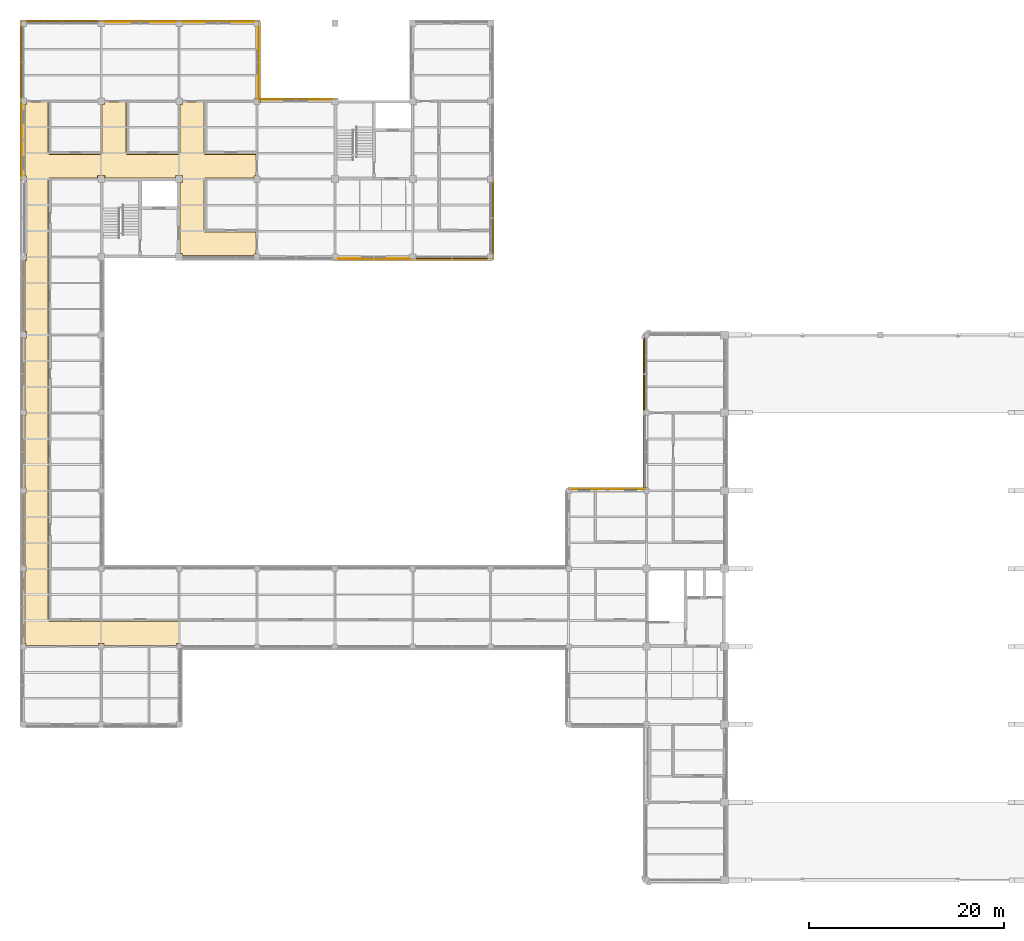
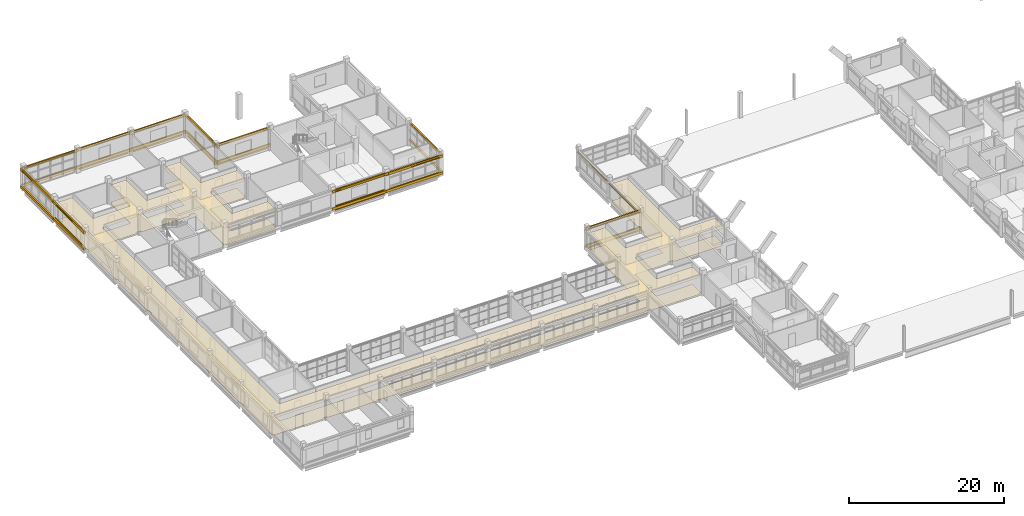
# One storey, part 86 of 92: 31 coverings, 13 shading devices.
"""IFC4 building model written with IfcOpenShell, lengths in metres."""

import ifcopenshell
import ifcopenshell.guid

model = None  # the IFC model being written
_history = None  # IfcOwnerHistory: only IFC2X3 demands one
_inside = {}  # id of a spatial element -> (the spatial element, [elements in it])
_under = {}  # id of a project, library or spatial element -> (it, [spatial elements below it])
_declared = {}  # id of a project -> (the project, [libraries it declares])
_typed = {}  # id of a type object -> (the type object, [elements of that type])
_made_of = {}  # id of a material, layer set ... -> (it, [elements and type objects made of it])


def new_model(schema):
    """Start an empty IFC model of exactly this schema.

    Asked for "IFC4X3", IfcOpenShell would pick the latest addendum, in which some entities
    have other attributes; the version numbers below select the first issue.
    IFC2X3 requires an IfcOwnerHistory on every rooted entity: one is made here for all.
    """
    global model, _history
    if schema == "IFC4X3":
        model = ifcopenshell.file(schema_version=(4, 3, 0, 0))
    else:
        model = ifcopenshell.file(schema=schema)
    _inside.clear()
    _under.clear()
    _declared.clear()
    _typed.clear()
    _made_of.clear()
    _history = None
    if model.schema == "IFC2X3":
        org = make("IfcOrganization", Name="unknown")
        user = make(
            "IfcPersonAndOrganization",
            ThePerson=make("IfcPerson", FamilyName="unknown"),
            TheOrganization=org,
        )
        app = make(
            "IfcApplication",
            ApplicationDeveloper=org,
            Version="unknown",
            ApplicationFullName="unknown",
            ApplicationIdentifier="unknown",
        )
        _history = make(
            "IfcOwnerHistory",
            OwningUser=user,
            OwningApplication=app,
            ChangeAction="ADDED",
            CreationDate=0,
        )
    return model


def make(cls, **values):
    """One entity of the class cls with the attributes given. An attribute that is None is left unset."""
    return model.create_entity(
        cls, **{name: value for name, value in values.items() if value is not None}
    )


def rooted(cls, **values):
    """An entity with a GlobalId (a new one), such as an element, a storey or a relation."""
    return make(cls, GlobalId=ifcopenshell.guid.new(), OwnerHistory=_history, **values)


def si_unit(unit_type, name, prefix=None):
    """IfcSIUnit, for example si_unit("LENGTHUNIT", "METRE", prefix="MILLI")."""
    return make("IfcSIUnit", UnitType=unit_type, Prefix=prefix, Name=name)


def derived_unit(unit_type, elements):
    """IfcDerivedUnit: a product of units, each with its exponent."""
    return make(
        "IfcDerivedUnit",
        Elements=[
            make("IfcDerivedUnitElement", Unit=unit, Exponent=power)
            for unit, power in elements
        ],
        UnitType=unit_type,
    )


def assignment(units):
    """IfcUnitAssignment: the units of a project."""
    return None if units is None else make("IfcUnitAssignment", Units=units)


def point(xyz):
    """IfcCartesianPoint."""
    return None if xyz is None else make("IfcCartesianPoint", Coordinates=xyz)


def direction(xyz):
    """IfcDirection."""
    return None if xyz is None else make("IfcDirection", DirectionRatios=xyz)


def frame(location, z_axis=None, x_axis=None):
    """IfcAxis2Placement3D, a coordinate frame: its origin and axes. An axis left out is left unset."""
    return make(
        "IfcAxis2Placement3D",
        Location=point(location),
        Axis=direction(z_axis),
        RefDirection=direction(x_axis),
    )


def frame_2d(location, x_axis=None):
    """IfcAxis2Placement2D, a coordinate frame in the plane: its origin and x axis."""
    return make(
        "IfcAxis2Placement2D", Location=point(location), RefDirection=direction(x_axis)
    )


def origin():
    """The frame at (0, 0, 0) with its axes left unset."""
    return frame((0.0, 0.0, 0.0))


def origin_2d():
    """The frame at (0, 0) in the plane with its x axis left unset."""
    return frame_2d((0.0, 0.0))


def place(relative_to, where):
    """IfcLocalPlacement: puts the frame where relative to a parent placement (None: the world)."""
    return make(
        "IfcLocalPlacement", PlacementRelTo=relative_to, RelativePlacement=where
    )


def context(
    kind, dimensions, precision=None, world=None, true_north=None, identifier=None
):
    """IfcGeometricRepresentationContext, for example the 3D "Model" context."""
    return make(
        "IfcGeometricRepresentationContext",
        ContextIdentifier=identifier,
        ContextType=kind,
        CoordinateSpaceDimension=dimensions,
        Precision=precision,
        WorldCoordinateSystem=world,
        TrueNorth=true_north,
    )


def subcontext(parent, identifier, kind, view, scale=None):
    """IfcGeometricRepresentationSubContext, for example "Body" below "Model"."""
    return make(
        "IfcGeometricRepresentationSubContext",
        ContextIdentifier=identifier,
        ContextType=kind,
        ParentContext=parent,
        TargetScale=scale,
        TargetView=view,
    )


def project(units=None, contexts=None):
    """IfcProject with its units and contexts."""
    return rooted(
        "IfcProject",
        Name="project",
        RepresentationContexts=contexts,
        UnitsInContext=assignment(units),
    )


def spatial(cls, under=None, at=None, **own):
    """A site, building, storey or space (cls), placed at a placement, below another one or the project."""
    s = rooted(cls, ObjectPlacement=at, **own)
    if under is not None:
        _under.setdefault(under.id(), (under, []))[1].append(s)
    return s


def polyline(points):
    """IfcPolyline through the points."""
    return make("IfcPolyline", Points=[point(p) for p in points])


def profile(cls, at=None, kind="AREA", **sizes):
    """A parametric profile (cls). Its sizes go by their IFC names, for example OverallWidth=200.0."""
    return make(cls, ProfileType=kind, Position=at, **sizes)


def rectangle(**sizes):
    """IfcRectangleProfileDef."""
    return profile("IfcRectangleProfileDef", **sizes)


def circle(**sizes):
    """IfcCircleProfileDef."""
    return profile("IfcCircleProfileDef", **sizes)


def outline(outer, holes=None, kind="AREA"):
    """IfcArbitraryClosedProfileDef: a profile drawn as a closed curve; with holes, ...WithVoids."""
    if holes is None:
        return make("IfcArbitraryClosedProfileDef", ProfileType=kind, OuterCurve=outer)
    return make(
        "IfcArbitraryProfileDefWithVoids",
        ProfileType=kind,
        OuterCurve=outer,
        InnerCurves=holes,
    )


def extrude(swept, where, along, depth):
    """IfcExtrudedAreaSolid: the profile swept, set in the frame where, extruded along a direction by depth."""
    return make(
        "IfcExtrudedAreaSolid",
        SweptArea=swept,
        Position=where,
        ExtrudedDirection=direction(along),
        Depth=depth,
    )


def shape(context_of_items, identifier, shape_type, items):
    """IfcShapeRepresentation: the items that make up one representation, for example the "Body"."""
    return make(
        "IfcShapeRepresentation",
        ContextOfItems=context_of_items,
        RepresentationIdentifier=identifier,
        RepresentationType=shape_type,
        Items=items,
    )


def material(Name=None, Category=None):
    """IfcMaterial."""
    return make("IfcMaterial", Name=Name, Category=Category)


def layer(
    of_material, thickness, ventilated=None, Name=None, Category=None, Priority=None
):
    """IfcMaterialLayer: one layer of a wall or slab, of a material (None: an air gap)."""
    return make(
        "IfcMaterialLayer",
        Material=of_material,
        LayerThickness=thickness,
        IsVentilated=ventilated,
        Name=Name,
        Category=Category,
        Priority=Priority,
    )


def layer_set(layers, Name=None):
    """IfcMaterialLayerSet."""
    return make("IfcMaterialLayerSet", MaterialLayers=layers, LayerSetName=Name)


def material_profile(
    of_material, cross_section, Name=None, Category=None, Priority=None
):
    """IfcMaterialProfile: a cross section and its material."""
    return make(
        "IfcMaterialProfile",
        Name=Name,
        Material=of_material,
        Profile=cross_section,
        Priority=Priority,
        Category=Category,
    )


def profile_set(profiles, Name=None, composite=None):
    """IfcMaterialProfileSet."""
    return make(
        "IfcMaterialProfileSet",
        Name=Name,
        MaterialProfiles=profiles,
        CompositeProfile=composite,
    )


def made_of(thing, what):
    """Note that an element or type object is made of a material, layer set ...; save() writes the relation."""
    if what is not None:
        _made_of.setdefault(what.id(), (what, []))[1].append(thing)
    return thing


def type_object(cls, material=None, **own):
    """A type object (cls), such as IfcWallType, which elements share."""
    return made_of(rooted(cls, **own), material)


def element(
    cls,
    number,
    at=None,
    inside=None,
    cuts=None,
    type_object=None,
    material=None,
    context=None,
    identifier="Body",
    shape_type=None,
    held_by="IfcProductDefinitionShape",
    body=None,
    shapes=None,
    **own,
):
    """One element of the class cls, such as IfcWall. Its Tag is "e" and its number.

    at: its placement. inside: the storey or other place that contains it. cuts: it is an
    opening in that element (IfcRelVoidsElement). A single representation is given by context,
    identifier, shape_type and body (its items); several are given by shapes. held_by: the class
    of the entity that holds the representations. save() writes the other relations.
    """
    e = rooted(cls, Tag="e%d" % number, ObjectPlacement=at, **own)
    if body is not None:
        shapes = [shape(context, identifier, shape_type, body)]
    if shapes is not None:
        e.Representation = make(held_by, Representations=shapes)
    if inside is not None:
        _inside.setdefault(inside.id(), (inside, []))[1].append(e)
    if cuts is not None:
        rooted(
            "IfcRelVoidsElement", RelatingBuildingElement=cuts, RelatedOpeningElement=e
        )
    if type_object is not None:
        _typed.setdefault(type_object.id(), (type_object, []))[1].append(e)
    return made_of(e, material)


def aggregate(whole, parts):
    """IfcRelAggregates: a whole, such as a stair, and the parts it consists of."""
    return rooted("IfcRelAggregates", RelatingObject=whole, RelatedObjects=parts)


def save(model, path):
    """Write the relations noted so far, then the file.

    IfcRelAggregates (storeys below a building ...), IfcRelContainedInSpatialStructure (elements
    in a storey), IfcRelDefinesByType, IfcRelAssociatesMaterial and IfcRelDeclares: one each for
    every whole, place, type object, material and project.
    """
    for whole, parts in _under.values():
        aggregate(whole, parts)
    for where, things in _inside.values():
        rooted(
            "IfcRelContainedInSpatialStructure",
            RelatedElements=things,
            RelatingStructure=where,
        )
    for kind, things in _typed.values():
        rooted("IfcRelDefinesByType", RelatedObjects=things, RelatingType=kind)
    for what, things in _made_of.values():
        rooted("IfcRelAssociatesMaterial", RelatedObjects=things, RelatingMaterial=what)
    for by, libraries in _declared.values():
        rooted("IfcRelDeclares", RelatingContext=by, RelatedDefinitions=libraries)
    model.write(path)


model = new_model("IFC4")

# Units and contexts
model_context = context("Model", 3, precision=1e-05, world=origin(), true_north=direction((0.0, 1.0)))
body_context = subcontext(model_context, "Body", "Model", "MODEL_VIEW")
ifc_project = project(units=[si_unit("LENGTHUNIT", "METRE"), si_unit("AREAUNIT", "SQUARE_METRE"), si_unit("VOLUMEUNIT", "CUBIC_METRE"), si_unit("PLANEANGLEUNIT", "RADIAN"), si_unit("MASSUNIT", "GRAM", prefix="KILO"), derived_unit("THERMALTRANSMITTANCEUNIT", [(si_unit("MASSUNIT", "GRAM", prefix="KILO"), 1), (si_unit("TIMEUNIT", "SECOND"), -3), (si_unit("THERMODYNAMICTEMPERATUREUNIT", "KELVIN"), -1)])], contexts=[model_context])

# Site, building, storey
site_placement = place(None, origin())
site = spatial("IfcSite", under=ifc_project, at=site_placement, CompositionType="ELEMENT")
building_placement = place(site_placement, origin())
building = spatial("IfcBuilding", under=site, at=building_placement, Name="Veyamyaing Civic Hall", CompositionType="ELEMENT")
storey_placement = place(building_placement, frame((0.0, 0.0, 17.820068359375)))
storey = spatial("IfcBuildingStorey", under=building, at=storey_placement, Name="L04", CompositionType="ELEMENT", Elevation=17.820068359375)

# Coverings
ifc_material_1 = material(Name="Buff sandstone ashlar cladding", Category="masonry")
ifc_layer_1 = layer(ifc_material_1, 0.050048828125, Name="Buff sandstone ashlar cladding")
ifc_layer_set_1 = layer_set([ifc_layer_1], Name="Buff sandstone ashlar cladding")
covering_type_1 = type_object("IfcCoveringType", Name="CL-01", PredefinedType="CLADDING", material=ifc_layer_set_1)
for number, where, z_axis, x_axis, name in (
    (1, (20.0, 112.160888671875, 0.044921875), (0.0, 0.0, 1.0), (1.0, 0.0, 0.0), "Facade spandrel cladding CL-01 L04 N 3.14"),
    (2, (24.160888671875, 108.0, 0.044921875), (0.0, 0.0, 1.0), (0.0, 1.0, 0.0), "Facade spandrel cladding CL-01 L04 E 3.14"),
):
    element("IfcCovering", number, at=place(storey_placement, frame(where, z_axis=z_axis, x_axis=x_axis)), inside=storey, type_object=covering_type_1, Name=name, PredefinedType="CLADDING", context=body_context, shape_type="SweptSolid", body=[
        extrude(rectangle(XDim=7.300048828125, YDim=0.050048828125, at=origin_2d()), origin(), (0.0, 0.0, 1.0), 0.75),
    ])
covering_1_placement = place(storey_placement, frame((27.987548828125, 104.160888671875, 0.044921875), z_axis=(0.0, 0.0, 1.0), x_axis=(1.0, 0.0, 0.0)))
element("IfcCovering", 3, at=covering_1_placement, inside=storey, type_object=covering_type_1, Name="Facade spandrel cladding CL-01 L04 N 4.13", PredefinedType="CLADDING", context=body_context, shape_type="SweptSolid", body=[
    extrude(rectangle(XDim=7.27490234375, YDim=0.050048828125, at=origin_2d()), origin(), (0.0, 0.0, 1.0), 0.75),
])
covering_2_placement = place(storey_placement, frame((36.0, 87.839111328125, 0.044921875), z_axis=(0.0, 0.0, 1.0), x_axis=(1.0, 0.0, 0.0)))
element("IfcCovering", 4, at=covering_2_placement, inside=storey, type_object=covering_type_1, Name="Facade spandrel cladding CL-01 L04 S 5.12", PredefinedType="CLADDING", context=body_context, shape_type="SweptSolid", body=[
    extrude(rectangle(XDim=7.300048828125, YDim=0.050048828125, at=origin_2d()), origin(), (0.0, 0.0, 1.0), 0.75),
])
ifc_material_2 = material(Name="Turquoise glazed ceramic tile cladding", Category="masonry")
ifc_layer_2 = layer(ifc_material_2, 0.034912109375, Name="Turquoise glazed ceramic tile cladding")
ifc_layer_set_2 = layer_set([ifc_layer_2], Name="Turquoise glazed ceramic tile cladding")
covering_type_2 = type_object("IfcCoveringType", Name="CL-02", PredefinedType="CLADDING", material=ifc_layer_set_2)
for number, where, z_axis, x_axis, name in (
    (5, (-0.153564453125, 100.0, 0.044921875), (0.0, 0.0, 1.0), (0.0, 1.0, 0.0), "Facade spandrel cladding CL-02 L04 W 1.13"),
    (6, (12.0, 112.153564453125, 0.044921875), (0.0, 0.0, 1.0), (1.0, 0.0, 0.0), "Facade spandrel cladding CL-02 L04 N 2.14"),
):
    element("IfcCovering", number, at=place(storey_placement, frame(where, z_axis=z_axis, x_axis=x_axis)), inside=storey, type_object=covering_type_2, Name=name, PredefinedType="CLADDING", context=body_context, shape_type="SweptSolid", body=[
        extrude(rectangle(XDim=7.300048828125, YDim=0.034912109375, at=origin_2d()), origin(), (0.0, 0.0, 1.0), 0.75),
    ])
covering_3_placement = place(storey_placement, frame((60.0, 64.166015625, 0.044921875), z_axis=(0.0, 0.0, 1.0), x_axis=(1.0, 0.0, 0.0)))
element("IfcCovering", 7, at=covering_3_placement, inside=storey, type_object=covering_type_2, Name="Facade spandrel cladding CL-02 L04 N 8.8", PredefinedType="CLADDING", context=body_context, shape_type="SweptSolid", body=[
    extrude(rectangle(XDim=7.39990234375, YDim=0.034912109375, at=origin_2d()), origin(), (0.0, 0.0, 1.0), 0.75),
])
ifc_material_3 = material(Name="White powder-coated aluminium 6063-T6", Category="aluminium")
ifc_layer_3 = layer(ifc_material_3, 0.2099609375, Name="White powder-coated aluminium 6063-T6")
ifc_layer_set_3 = layer_set([ifc_layer_3], Name="White powder-coated aluminium 6063-T6")
covering_type_3 = type_object("IfcCoveringType", Name="CL-03", PredefinedType="CLADDING", material=ifc_layer_set_3)
for number, where, z_axis, x_axis, name in (
    (8, (-0.239990234375, 100.0, 2.929931640625), (0.0, 0.0, 1.0), (0.0, 1.0, 0.0), "Continuous white head fascia ribbon CL-03 L04 W 1.13"),
    (9, (-0.239990234375, 100.0, 0.280029296875), (0.0, 0.0, 1.0), (0.0, 1.0, 0.0), "Continuous white sill fascia ribbon CL-03 L04 W 1.13"),
    (10, (4.0, 112.239990234375, 2.93408203125), (0.0, 0.0, 1.0), (1.0, 0.0, 0.0), "Continuous white head fascia ribbon CL-03 L04 N 1.14"),
    (11, (4.0, 112.239990234375, 0.280029296875), (0.0, 0.0, 1.0), (1.0, 0.0, 0.0), "Continuous white sill fascia ribbon CL-03 L04 N 1.14"),
    (12, (-0.239990234375, 108.0, 2.993896484375), (0.0, 0.0, 1.0), (0.0, 1.0, 0.0), "Continuous white head fascia ribbon CL-03 L04 W 1.14"),
    (13, (-0.239990234375, 108.0, 0.280029296875), (0.0, 0.0, 1.0), (0.0, 1.0, 0.0), "Continuous white sill fascia ribbon CL-03 L04 W 1.14"),
    (14, (12.0, 112.239990234375, 2.9970703125), (0.0, 0.0, 1.0), (1.0, 0.0, 0.0), "Continuous white head fascia ribbon CL-03 L04 N 2.14"),
    (15, (12.0, 112.239990234375, 0.280029296875), (0.0, 0.0, 1.0), (1.0, 0.0, 0.0), "Continuous white sill fascia ribbon CL-03 L04 N 2.14"),
    (16, (20.0, 112.239990234375, 2.905029296875), (0.0, 0.0, 1.0), (1.0, 0.0, 0.0), "Continuous white head fascia ribbon CL-03 L04 N 3.14"),
    (17, (20.0, 112.239990234375, 0.280029296875), (0.0, 0.0, 1.0), (1.0, 0.0, 0.0), "Continuous white sill fascia ribbon CL-03 L04 N 3.14"),
    (18, (24.239990234375, 108.0, 2.905029296875), (0.0, 0.0, 1.0), (0.0, 1.0, 0.0), "Continuous white head fascia ribbon CL-03 L04 E 3.14"),
    (19, (24.239990234375, 108.0, 0.280029296875), (0.0, 0.0, 1.0), (0.0, 1.0, 0.0), "Continuous white sill fascia ribbon CL-03 L04 E 3.14"),
    (20, (28.0, 104.239990234375, 2.929931640625), (0.0, 0.0, 1.0), (1.0, 0.0, 0.0), "Continuous white head fascia ribbon CL-03 L04 N 4.13"),
    (21, (28.0, 104.239990234375, 0.280029296875), (0.0, 0.0, 1.0), (1.0, 0.0, 0.0), "Continuous white sill fascia ribbon CL-03 L04 N 4.13"),
    (22, (36.0, 87.760009765625, 2.9970703125), (0.0, 0.0, 1.0), (1.0, 0.0, 0.0), "Continuous white head fascia ribbon CL-03 L04 S 5.12"),
    (23, (36.0, 87.760009765625, 0.280029296875), (0.0, 0.0, 1.0), (1.0, 0.0, 0.0), "Continuous white sill fascia ribbon CL-03 L04 S 5.12"),
    (24, (44.0, 87.760009765625, 2.929931640625), (0.0, 0.0, 1.0), (1.0, 0.0, 0.0), "Continuous white head fascia ribbon CL-03 L04 S 6.12"),
    (25, (44.0, 87.760009765625, 0.280029296875), (0.0, 0.0, 1.0), (1.0, 0.0, 0.0), "Continuous white sill fascia ribbon CL-03 L04 S 6.12"),
    (26, (48.239990234375, 92.0, 2.993896484375), (0.0, 0.0, 1.0), (0.0, 1.0, 0.0), "Continuous white head fascia ribbon CL-03 L04 E 6.12"),
    (27, (48.239990234375, 92.0, 0.280029296875), (0.0, 0.0, 1.0), (0.0, 1.0, 0.0), "Continuous white sill fascia ribbon CL-03 L04 E 6.12"),
):
    element("IfcCovering", number, at=place(storey_placement, frame(where, z_axis=z_axis, x_axis=x_axis)), inside=storey, type_object=covering_type_3, Name=name, PredefinedType="CLADDING", context=body_context, shape_type="SweptSolid", body=[
        extrude(rectangle(XDim=8.360107421875, YDim=0.2099609375, at=origin_2d()), origin(), (0.0, 0.0, 1.0), 0.39990234375),
    ])
for number, where, z_axis, x_axis, name in (
    (28, (60.0, 64.239990234375, 2.971923828125), (0.0, 0.0, 1.0), (1.0, 0.0, 0.0), "Continuous white head fascia ribbon CL-03 L04 N 8.8"),
    (29, (60.0, 64.239990234375, 0.280029296875), (0.0, 0.0, 1.0), (1.0, 0.0, 0.0), "Continuous white sill fascia ribbon CL-03 L04 N 8.8"),
):
    element("IfcCovering", number, at=place(storey_placement, frame(where, z_axis=z_axis, x_axis=x_axis)), inside=storey, type_object=covering_type_3, Name=name, PredefinedType="CLADDING", context=body_context, shape_type="SweptSolid", body=[
        extrude(rectangle(XDim=8.1201171875, YDim=0.2099609375, at=origin_2d()), origin(), (0.0, 0.0, 1.0), 0.39990234375),
    ])
ifc_material_4 = material(Name="Perforated acoustic gypsum ceiling board")
ifc_layer_4 = layer(ifc_material_4, 0.02490234375, Name="Perforated acoustic gypsum ceiling board")
ifc_layer_set_4 = layer_set([ifc_layer_4], Name="Perforated acoustic gypsum ceiling board")
covering_type_4 = type_object("IfcCoveringType", Name="CLG-01", PredefinedType="CEILING", material=ifc_layer_set_4)
covering_4_placement = place(storey_placement, frame((0.0, 0.0, 2.699951171875)))
element("IfcCovering", 30, at=covering_4_placement, inside=storey, type_object=covering_type_4, Name="Acoustic suspended ceiling CLG-01 L04-C01", PredefinedType="CEILING", context=body_context, shape_type="SweptSolid", body=[
    extrude(outline(polyline([(56.014404296875, 50.576904296875), (56.0419921875, 50.58837890625), (56.057373046875, 50.602294921875), (56.071533203125, 50.62890625), (56.074951171875, 50.65185546875), (56.074951171875, 55.739990234375), (56.260009765625, 55.739990234375), (56.260009765625, 56.260009765625), (56.155029296875, 56.260009765625), (56.155029296875, 63.739990234375), (56.260009765625, 63.739990234375), (56.260009765625, 63.844970703125), (58.574951171875, 63.844970703125), (58.574951171875, 58.65185546875), (58.57861328125, 58.627685546875), (58.583740234375, 58.615234375), (58.597412109375, 58.5966796875), (58.60791015625, 58.588134765625), (58.62841796875, 58.57861328125), (58.65185546875, 58.574951171875), (63.998291015625, 58.574951171875), (64.02099609375, 58.578369140625), (64.0478515625, 58.5927734375), (64.068603515625, 58.6201171875), (64.074951171875, 58.652587890625), (64.074951171875, 63.739990234375), (64.260009765625, 63.739990234375), (64.260009765625, 64.260009765625), (64.155029296875, 64.260009765625), (64.155029296875, 71.739990234375), (64.260009765625, 71.739990234375), (64.260009765625, 71.925048828125), (66.574951171875, 71.925048828125), (66.574951171875, 58.65185546875), (66.57861328125, 58.62841796875), (66.587890625, 58.6083984375), (66.602294921875, 58.5927734375), (66.62890625, 58.578369140625), (66.65185546875, 58.574951171875), (71.844970703125, 58.574951171875), (71.844970703125, 56.385009765625), (71.614990234375, 56.385009765625), (71.614990234375, 56.074951171875), (64.3349609375, 56.074951171875), (64.3349609375, 56.3349609375), (63.6650390625, 56.3349609375), (63.6650390625, 56.074951171875), (58.652587890625, 56.074951171875), (58.62158203125, 56.06884765625), (58.597412109375, 56.052734375), (58.581298828125, 56.028564453125), (58.574951171875, 55.99755859375), (58.574951171875, 50.65185546875), (58.57861328125, 50.62841796875), (58.588134765625, 50.60791015625), (58.5966796875, 50.597412109375), (58.615234375, 50.583740234375), (58.627685546875, 50.57861328125), (58.65185546875, 50.574951171875), (63.925048828125, 50.574951171875), (63.925048828125, 48.3349609375), (63.6650390625, 48.3349609375), (63.6650390625, 48.074951171875), (56.260009765625, 48.074951171875), (56.260009765625, 48.260009765625), (55.739990234375, 48.260009765625), (55.739990234375, 48.155029296875), (48.260009765625, 48.155029296875), (48.260009765625, 48.260009765625), (47.739990234375, 48.260009765625), (47.739990234375, 48.155029296875), (40.260009765625, 48.155029296875), (40.260009765625, 48.260009765625), (39.739990234375, 48.260009765625), (39.739990234375, 48.155029296875), (32.260009765625, 48.155029296875), (32.260009765625, 48.260009765625), (31.739990234375, 48.260009765625), (31.739990234375, 48.155029296875), (24.260009765625, 48.155029296875), (24.260009765625, 48.260009765625), (23.739990234375, 48.260009765625), (23.739990234375, 48.155029296875), (16.260009765625, 48.155029296875), (16.260009765625, 48.260009765625), (15.739990234375, 48.260009765625), (15.739990234375, 48.074951171875), (8.260009765625, 48.074951171875), (8.260009765625, 48.260009765625), (7.739990234375, 48.260009765625), (7.739990234375, 48.074951171875), (0.260009765625, 48.074951171875), (0.260009765625, 48.260009765625), (0.155029296875, 48.260009765625), (0.155029296875, 55.739990234375), (0.260009765625, 55.739990234375), (0.260009765625, 56.260009765625), (0.155029296875, 56.260009765625), (0.155029296875, 63.739990234375), (0.260009765625, 63.739990234375), (0.260009765625, 64.260009765625), (0.155029296875, 64.260009765625), (0.155029296875, 71.739990234375), (0.260009765625, 71.739990234375), (0.260009765625, 72.260009765625), (0.155029296875, 72.260009765625), (0.155029296875, 79.68994140625), (0.31005859375, 79.68994140625), (0.31005859375, 80.31005859375), (0.155029296875, 80.31005859375), (0.155029296875, 87.68994140625), (0.31005859375, 87.68994140625), (0.31005859375, 88.31005859375), (0.155029296875, 88.31005859375), (0.155029296875, 95.68994140625), (0.31005859375, 95.68994140625), (0.31005859375, 96.31005859375), (0.155029296875, 96.31005859375), (0.155029296875, 103.68994140625), (0.31005859375, 103.68994140625), (0.31005859375, 103.925048828125), (2.574951171875, 103.925048828125), (2.574951171875, 98.65185546875), (2.578369140625, 98.62890625), (2.5927734375, 98.602294921875), (2.60791015625, 98.58837890625), (2.635498046875, 98.576904296875), (7.99755859375, 98.574951171875), (8.028564453125, 98.581298828125), (8.052734375, 98.597412109375), (8.06884765625, 98.62158203125), (8.074951171875, 98.652587890625), (8.074951171875, 103.68994140625), (8.31005859375, 103.68994140625), (8.31005859375, 103.925048828125), (10.574951171875, 103.925048828125), (10.574951171875, 98.65185546875), (10.57861328125, 98.627685546875), (10.583740234375, 98.615234375), (10.597412109375, 98.5966796875), (10.60791015625, 98.588134765625), (10.62841796875, 98.57861328125), (10.65185546875, 98.574951171875), (15.998291015625, 98.574951171875), (16.021728515625, 98.57861328125), (16.04150390625, 98.587890625), (16.057373046875, 98.602294921875), (16.071533203125, 98.62890625), (16.074951171875, 98.65185546875), (16.074951171875, 103.68994140625), (16.31005859375, 103.68994140625), (16.31005859375, 103.925048828125), (18.574951171875, 103.925048828125), (18.574951171875, 98.652587890625), (18.581298828125, 98.62158203125), (18.597412109375, 98.597412109375), (18.62158203125, 98.581298828125), (18.652587890625, 98.574951171875), (23.925048828125, 98.574951171875), (23.925048828125, 96.31005859375), (23.68994140625, 96.31005859375), (23.68994140625, 96.074951171875), (18.652587890625, 96.074951171875), (18.62158203125, 96.06884765625), (18.597412109375, 96.052734375), (18.581298828125, 96.028564453125), (18.574951171875, 95.99755859375), (18.574951171875, 90.65185546875), (18.57861328125, 90.62841796875), (18.588134765625, 90.60791015625), (18.5966796875, 90.597412109375), (18.615234375, 90.583740234375), (18.627685546875, 90.57861328125), (18.65185546875, 90.574951171875), (23.925048828125, 90.574951171875), (23.925048828125, 88.31005859375), (23.68994140625, 88.31005859375), (23.68994140625, 88.155029296875), (16.3349609375, 88.155029296875), (16.3349609375, 88.3349609375), (16.074951171875, 88.3349609375), (16.074951171875, 95.6650390625), (16.3349609375, 95.6650390625), (16.3349609375, 96.3349609375), (15.6650390625, 96.3349609375), (15.6650390625, 96.074951171875), (8.3349609375, 96.074951171875), (8.3349609375, 96.3349609375), (7.6650390625, 96.3349609375), (7.6650390625, 96.074951171875), (2.65185546875, 96.074951171875), (2.62841796875, 96.071533203125), (2.6083984375, 96.06201171875), (2.59228515625, 96.04736328125), (2.581298828125, 96.029296875), (2.574951171875, 95.99755859375), (2.574951171875, 50.652587890625), (2.581298828125, 50.62158203125), (2.597412109375, 50.597412109375), (2.62158203125, 50.581298828125), (2.652587890625, 50.574951171875), (56.014404296875, 50.576904296875)])), origin(), (0.0, 0.0, 1.0), 0.02490234375),
])
ifc_material_5 = material(Name="Polished Mandalay marble and terrazzo flooring", Category="masonry")
ifc_layer_5 = layer(ifc_material_5, 0.030029296875, Name="Polished Mandalay marble and terrazzo flooring")
ifc_layer_set_5 = layer_set([ifc_layer_5], Name="Polished Mandalay marble and terrazzo flooring")
covering_type_5 = type_object("IfcCoveringType", Name="FLR-01", PredefinedType="FLOORING", material=ifc_layer_set_5)
covering_5_placement = place(storey_placement, origin())
element("IfcCovering", 31, at=covering_5_placement, inside=storey, type_object=covering_type_5, Name="Stone and terrazzo flooring FLR-01 L04-C01", PredefinedType="FLOORING", context=body_context, shape_type="SweptSolid", body=[
    extrude(outline(polyline([(56.01953125, 50.552001953125), (56.0556640625, 50.56689453125), (56.077392578125, 50.586669921875), (56.095703125, 50.62109375), (56.10009765625, 50.64990234375), (56.10009765625, 55.715087890625), (56.284912109375, 55.715087890625), (56.284912109375, 56.284912109375), (56.179931640625, 56.284912109375), (56.179931640625, 63.715087890625), (56.284912109375, 63.715087890625), (56.284912109375, 63.820068359375), (58.550048828125, 63.820068359375), (58.550048828125, 58.64990234375), (58.55419921875, 58.62109375), (58.561767578125, 58.602783203125), (58.579345703125, 58.579345703125), (58.594482421875, 58.56689453125), (58.62109375, 58.55419921875), (58.64990234375, 58.550048828125), (64.0, 58.550048828125), (64.029052734375, 58.55419921875), (64.0634765625, 58.57275390625), (64.0830078125, 58.594482421875), (64.09228515625, 58.61181640625), (64.10009765625, 58.64990234375), (64.10009765625, 63.715087890625), (64.284912109375, 63.715087890625), (64.284912109375, 64.284912109375), (64.179931640625, 64.284912109375), (64.179931640625, 71.715087890625), (64.284912109375, 71.715087890625), (64.284912109375, 71.89990234375), (66.550048828125, 71.89990234375), (66.550048828125, 58.64990234375), (66.55419921875, 58.62109375), (66.56689453125, 58.594482421875), (66.586669921875, 58.57275390625), (66.62109375, 58.55419921875), (66.64990234375, 58.550048828125), (71.820068359375, 58.550048828125), (71.820068359375, 56.409912109375), (71.590087890625, 56.409912109375), (71.590087890625, 56.10009765625), (64.360107421875, 56.10009765625), (64.360107421875, 56.360107421875), (63.639892578125, 56.360107421875), (63.639892578125, 56.10009765625), (58.64990234375, 56.10009765625), (58.61181640625, 56.09228515625), (58.579345703125, 56.07080078125), (58.5576171875, 56.038330078125), (58.550048828125, 56.0), (58.550048828125, 50.64990234375), (58.55419921875, 50.62109375), (58.56689453125, 50.594482421875), (58.579345703125, 50.579345703125), (58.602783203125, 50.561767578125), (58.62109375, 50.55419921875), (58.64990234375, 50.550048828125), (63.89990234375, 50.550048828125), (63.89990234375, 48.360107421875), (63.639892578125, 48.360107421875), (63.639892578125, 48.10009765625), (56.284912109375, 48.10009765625), (56.284912109375, 48.284912109375), (55.715087890625, 48.284912109375), (55.715087890625, 48.179931640625), (48.284912109375, 48.179931640625), (48.284912109375, 48.284912109375), (47.715087890625, 48.284912109375), (47.715087890625, 48.179931640625), (40.284912109375, 48.179931640625), (40.284912109375, 48.284912109375), (39.715087890625, 48.284912109375), (39.715087890625, 48.179931640625), (32.284912109375, 48.179931640625), (32.284912109375, 48.284912109375), (31.715087890625, 48.284912109375), (31.715087890625, 48.179931640625), (24.284912109375, 48.179931640625), (24.284912109375, 48.284912109375), (23.715087890625, 48.284912109375), (23.715087890625, 48.179931640625), (16.284912109375, 48.179931640625), (16.284912109375, 48.284912109375), (15.715087890625, 48.284912109375), (15.715087890625, 48.10009765625), (8.284912109375, 48.10009765625), (8.284912109375, 48.284912109375), (7.715087890625, 48.284912109375), (7.715087890625, 48.10009765625), (0.284912109375, 48.10009765625), (0.284912109375, 48.284912109375), (0.179931640625, 48.284912109375), (0.179931640625, 55.715087890625), (0.284912109375, 55.715087890625), (0.284912109375, 56.284912109375), (0.179931640625, 56.284912109375), (0.179931640625, 63.715087890625), (0.284912109375, 63.715087890625), (0.284912109375, 64.284912109375), (0.179931640625, 64.284912109375), (0.179931640625, 71.715087890625), (0.284912109375, 71.715087890625), (0.284912109375, 72.284912109375), (0.179931640625, 72.284912109375), (0.179931640625, 79.6650390625), (0.3349609375, 79.6650390625), (0.3349609375, 80.3349609375), (0.179931640625, 80.3349609375), (0.179931640625, 87.6650390625), (0.3349609375, 87.6650390625), (0.3349609375, 88.3349609375), (0.179931640625, 88.3349609375), (0.179931640625, 95.6650390625), (0.3349609375, 95.6650390625), (0.3349609375, 96.3349609375), (0.179931640625, 96.3349609375), (0.179931640625, 103.6650390625), (0.3349609375, 103.6650390625), (0.3349609375, 103.89990234375), (2.550048828125, 103.89990234375), (2.550048828125, 98.64990234375), (2.55419921875, 98.62109375), (2.57275390625, 98.586669921875), (2.594482421875, 98.56689453125), (2.630615234375, 98.552001953125), (8.0, 98.550048828125), (8.038330078125, 98.5576171875), (8.07080078125, 98.579345703125), (8.09228515625, 98.61181640625), (8.10009765625, 98.64990234375), (8.10009765625, 103.6650390625), (8.3349609375, 103.6650390625), (8.3349609375, 103.89990234375), (10.550048828125, 103.89990234375), (10.550048828125, 98.64990234375), (10.55419921875, 98.62109375), (10.561767578125, 98.602783203125), (10.579345703125, 98.579345703125), (10.594482421875, 98.56689453125), (10.62109375, 98.55419921875), (10.64990234375, 98.550048828125), (16.0, 98.550048828125), (16.029052734375, 98.55419921875), (16.0556640625, 98.56689453125), (16.077392578125, 98.586669921875), (16.095703125, 98.62109375), (16.10009765625, 98.64990234375), (16.10009765625, 103.6650390625), (16.3349609375, 103.6650390625), (16.3349609375, 103.89990234375), (18.550048828125, 103.89990234375), (18.550048828125, 98.64990234375), (18.5576171875, 98.61181640625), (18.579345703125, 98.579345703125), (18.61181640625, 98.5576171875), (18.64990234375, 98.550048828125), (23.89990234375, 98.550048828125), (23.89990234375, 96.3349609375), (23.6650390625, 96.3349609375), (23.6650390625, 96.10009765625), (18.64990234375, 96.10009765625), (18.61181640625, 96.09228515625), (18.579345703125, 96.07080078125), (18.5576171875, 96.038330078125), (18.550048828125, 96.0), (18.550048828125, 90.64990234375), (18.55419921875, 90.62109375), (18.56689453125, 90.594482421875), (18.579345703125, 90.579345703125), (18.602783203125, 90.561767578125), (18.62109375, 90.55419921875), (18.64990234375, 90.550048828125), (23.89990234375, 90.550048828125), (23.89990234375, 88.3349609375), (23.6650390625, 88.3349609375), (23.6650390625, 88.179931640625), (16.360107421875, 88.179931640625), (16.360107421875, 88.360107421875), (16.10009765625, 88.360107421875), (16.10009765625, 95.639892578125), (16.360107421875, 95.639892578125), (16.360107421875, 96.360107421875), (15.639892578125, 96.360107421875), (15.639892578125, 96.10009765625), (8.360107421875, 96.10009765625), (8.360107421875, 96.360107421875), (7.639892578125, 96.360107421875), (7.639892578125, 96.10009765625), (2.64990234375, 96.10009765625), (2.62109375, 96.095703125), (2.594482421875, 96.0830078125), (2.57275390625, 96.0634765625), (2.5576171875, 96.038330078125), (2.550048828125, 96.0), (2.550048828125, 50.64990234375), (2.5576171875, 50.61181640625), (2.579345703125, 50.579345703125), (2.61181640625, 50.5576171875), (2.64990234375, 50.550048828125), (56.01953125, 50.552001953125)])), origin(), (0.0, 0.0, 1.0), 0.030029296875),
])

# Shading devices
ifc_material_profile_1 = material_profile(ifc_material_3, circle(Radius=0.110107421875, at=origin_2d()), Name="SHADE-TUBE-220")
ifc_profile_set_1 = profile_set([ifc_material_profile_1], Name="White powder-coated aluminium 6063-T6")
shading_device_type_1 = type_object("IfcShadingDeviceType", Name="SH-01", PredefinedType="USERDEFINED", material=ifc_profile_set_1)
for number, where, z_axis, x_axis, name in (
    (32, (56.260009765625, 64.239990234375, 3.1318359375), (1.0, 0.0, 0.0), (0.0, 1.0, 0.0), "Horizontal white sunshade ribbon SH-01 L04 N 8.8"),
    (33, (63.760009765625, 64.260009765625, 3.06494140625), (0.0, 1.0, 0.0), (-1.0, 0.0, 0.0), "Horizontal white sunshade ribbon SH-01 L04 W 9.9"),
    (34, (63.760009765625, 72.260009765625, 3.12890625), (0.0, 1.0, 0.0), (-1.0, 0.0, 0.0), "Horizontal white sunshade ribbon SH-01 L04 W 9.10"),
):
    element("IfcShadingDevice", number, at=place(storey_placement, frame(where, z_axis=z_axis, x_axis=x_axis)), inside=storey, type_object=shading_device_type_1, Name=name, ObjectType="SUNSHADE", PredefinedType="USERDEFINED", context=body_context, shape_type="SweptSolid", body=[
        extrude(circle(Radius=0.110107421875, at=origin_2d()), origin(), (0.0, 0.0, 1.0), 7.47998046875),
    ])
ifc_material_profile_2 = material_profile(ifc_material_3, circle(Radius=0.090087890625, at=origin_2d()), Name="SHADE-TUBE-180")
ifc_profile_set_2 = profile_set([ifc_material_profile_2], Name="White powder-coated aluminium 6063-T6")
shading_device_type_2 = type_object("IfcShadingDeviceType", Name="SH-02", PredefinedType="USERDEFINED", material=ifc_profile_set_2)
for number, where, z_axis, x_axis, name in (
    (35, (-0.239990234375, 96.31005859375, 3.08984375), (0.0, 1.0, 0.0), (-1.0, 0.0, 0.0), "Horizontal white sunshade ribbon SH-02 L04 W 1.13"),
    (36, (0.31005859375, 112.239990234375, 3.093994140625), (1.0, 0.0, 0.0), (0.0, 1.0, 0.0), "Horizontal white sunshade ribbon SH-02 L04 N 1.14"),
    (37, (-0.239990234375, 104.31005859375, 3.154052734375), (0.0, 1.0, 0.0), (-1.0, 0.0, 0.0), "Horizontal white sunshade ribbon SH-02 L04 W 1.14"),
    (38, (8.31005859375, 112.239990234375, 3.156982421875), (1.0, 0.0, 0.0), (0.0, 1.0, 0.0), "Horizontal white sunshade ribbon SH-02 L04 N 2.14"),
    (39, (16.31005859375, 112.239990234375, 3.06494140625), (1.0, 0.0, 0.0), (0.0, 1.0, 0.0), "Horizontal white sunshade ribbon SH-02 L04 N 3.14"),
    (40, (24.239990234375, 104.31005859375, 3.06494140625), (0.0, 1.0, 0.0), (-1.0, 0.0, 0.0), "Horizontal white sunshade ribbon SH-02 L04 E 3.14"),
):
    element("IfcShadingDevice", number, at=place(storey_placement, frame(where, z_axis=z_axis, x_axis=x_axis)), inside=storey, type_object=shading_device_type_2, Name=name, ObjectType="SUNSHADE", PredefinedType="USERDEFINED", context=body_context, shape_type="SweptSolid", body=[
        extrude(circle(Radius=0.090087890625, at=origin_2d()), origin(), (0.0, 0.0, 1.0), 7.3798828125),
    ])
shading_device_placement = place(storey_placement, frame((24.31005859375, 104.239990234375, 3.08984375), z_axis=(1.0, 0.0, 0.0), x_axis=(0.0, 1.0, 0.0)))
element("IfcShadingDevice", 41, at=shading_device_placement, inside=storey, type_object=shading_device_type_2, Name="Horizontal white sunshade ribbon SH-02 L04 N 4.13", ObjectType="SUNSHADE", PredefinedType="USERDEFINED", context=body_context, shape_type="SweptSolid", body=[
    extrude(circle(Radius=0.090087890625, at=origin_2d()), origin(), (0.0, 0.0, 1.0), 7.35498046875),
])
for number, where, z_axis, x_axis, name in (
    (42, (32.31005859375, 87.760009765625, 3.156982421875), (1.0, 0.0, 0.0), (0.0, 1.0, 0.0), "Horizontal white sunshade ribbon SH-02 L04 S 5.12"),
    (43, (40.31005859375, 87.760009765625, 3.08984375), (1.0, 0.0, 0.0), (0.0, 1.0, 0.0), "Horizontal white sunshade ribbon SH-02 L04 S 6.12"),
    (44, (48.239990234375, 88.31005859375, 3.154052734375), (0.0, 1.0, 0.0), (-1.0, 0.0, 0.0), "Horizontal white sunshade ribbon SH-02 L04 E 6.12"),
):
    element("IfcShadingDevice", number, at=place(storey_placement, frame(where, z_axis=z_axis, x_axis=x_axis)), inside=storey, type_object=shading_device_type_2, Name=name, ObjectType="SUNSHADE", PredefinedType="USERDEFINED", context=body_context, shape_type="SweptSolid", body=[
        extrude(circle(Radius=0.090087890625, at=origin_2d()), origin(), (0.0, 0.0, 1.0), 7.3798828125),
    ])

save(model, "model.ifc")
